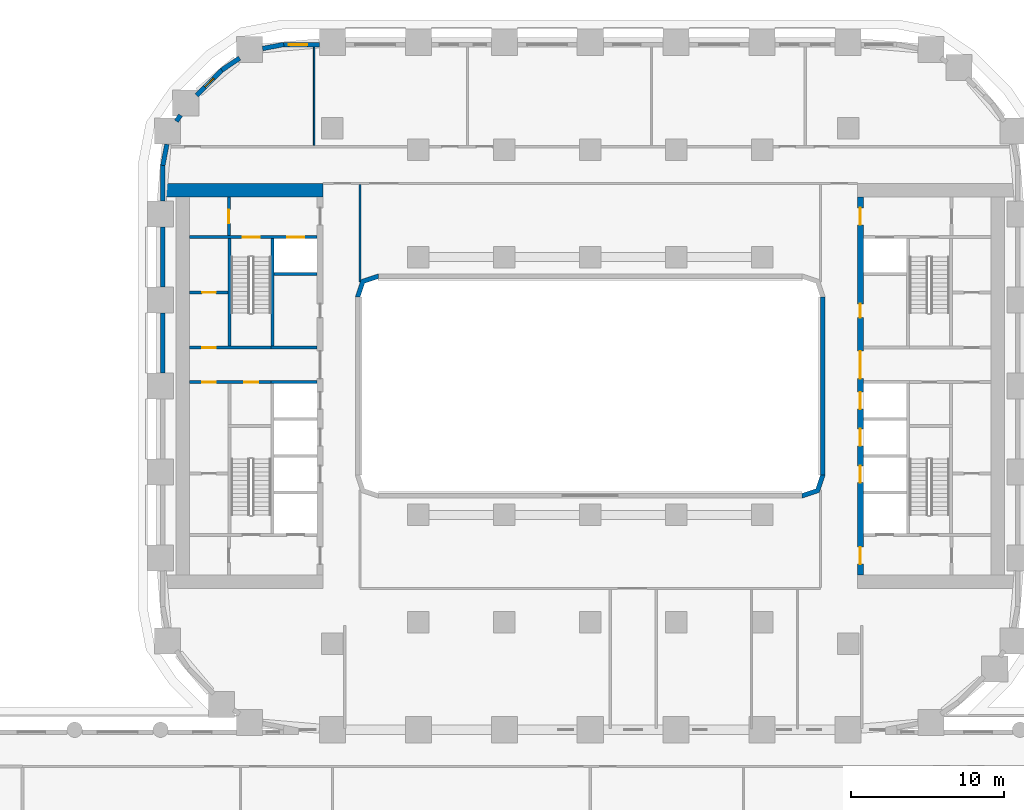
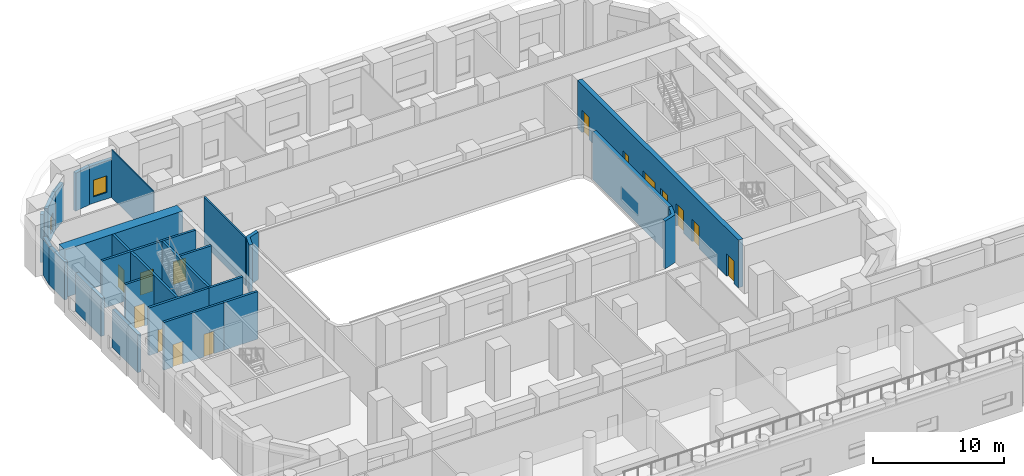
# One storey, part 23 of 35: 26 walls, 14 doors, 2 windows, 16 openings.
"""IFC4 building model written with IfcOpenShell, lengths in metres."""

from ifc_helpers import new_model, si_unit, direction, frame, frame_2d, origin, place, context, subcontext, project, spatial, polyline, rectangle, outline, extrude, material, layer, layer_set, type_object, element, fill, save


model = new_model("IFC4")

# Units and contexts
model_context = context("Model", 3, precision=1e-05, world=origin(), true_north=direction((0.0, 1.0)))
body_context = subcontext(model_context, "Body", "Model", "MODEL_VIEW")
ifc_project = project(units=[si_unit("LENGTHUNIT", "METRE"), si_unit("AREAUNIT", "SQUARE_METRE"), si_unit("VOLUMEUNIT", "CUBIC_METRE"), si_unit("PLANEANGLEUNIT", "RADIAN"), si_unit("MASSUNIT", "GRAM", prefix="KILO")], contexts=[model_context])

# Site, building, storey
site_placement = place(None, origin())
site = spatial("IfcSite", under=ifc_project, at=site_placement, CompositionType="ELEMENT")
building_placement = place(site_placement, origin())
building = spatial("IfcBuilding", under=site, at=building_placement, Name="Kiln Ring Residences", CompositionType="ELEMENT")
storey_placement = place(building_placement, frame((0.0, 0.0, 20.89990234375)))
storey = spatial("IfcBuildingStorey", under=building, at=storey_placement, Name="L04", CompositionType="ELEMENT", Elevation=20.89990234375)

# Wall, openings, doors
ifc_material_1 = material(Name="Gypsum board on steel studs", Category="steel")
ifc_layer_1 = layer(ifc_material_1, 0.199951171875)
ifc_layer_set_1 = layer_set([ifc_layer_1], Name="CORE-PARTITION-200")
wall_type_1 = type_object("IfcWallType", Name="CORE-PARTITION-200", PredefinedType="PARTITIONING", material=ifc_layer_set_1)
wall_1_placement = place(storey_placement, frame((-20.800048828125, 0.25, 0.0), z_axis=(0.0, 0.0, 1.0), x_axis=(-1.0, 0.0, 0.0)))
wall_1 = element("IfcWall", 1, at=wall_1_placement, inside=storey, type_object=wall_type_1, Name="Core partition west L04 2", PredefinedType="PARTITIONING", context=body_context, shape_type="SweptSolid", body=[
    extrude(rectangle(XDim=5.300048828125, YDim=0.199951171875, at=frame_2d((2.64990234375, 0.0))), origin(), (0.0, 0.0, 1.0), 4.4501953125),
])
opening_1_placement = place(wall_1_placement, frame((0.85009765625, 0.0, 0.0)))
opening_1 = element("IfcOpeningElement", 2, at=opening_1_placement, cuts=wall_1, Name="Opening L04-CW14", PredefinedType="OPENING", context=body_context, shape_type="SweptSolid", body=[
    extrude(rectangle(XDim=0.89990234375, YDim=2.10009765625, at=frame_2d((0.449951171875, 1.050048828125))), frame((0.0, 0.10986328125, 0.0), z_axis=(0.0, -1.0, 0.0), x_axis=(1.0, 0.0, 0.0)), (0.0, 0.0, 1.0), 0.219970703125),
])
opening_2_placement = place(wall_1_placement, frame((3.60009765625, 0.0, 0.0)))
opening_2 = element("IfcOpeningElement", 3, at=opening_2_placement, cuts=wall_1, Name="Opening L04-CW16", PredefinedType="OPENING", context=body_context, shape_type="SweptSolid", body=[
    extrude(rectangle(XDim=0.89990234375, YDim=2.10009765625, at=frame_2d((0.449951171875, 1.050048828125))), frame((0.0, 0.10986328125, 0.0), z_axis=(0.0, -1.0, 0.0), x_axis=(1.0, 0.0, 0.0)), (0.0, 0.0, 1.0), 0.219970703125),
])
ifc_material_2 = material(Name="Steel door leaf", Category="steel")
door_type_1 = type_object("IfcDoorType", Name="CORE-DOOR-ROOM", OperationType="SINGLE_SWING_LEFT", PredefinedType="DOOR", material=ifc_material_2)
door_1_placement = place(opening_1_placement, origin())
door_1 = element("IfcDoor", 4, at=door_1_placement, inside=storey, type_object=door_type_1, Name="Housekeeping store L04-CW14", OperationType="SINGLE_SWING_RIGHT", OverallHeight=2.10009765625, OverallWidth=0.89990234375, PredefinedType="DOOR", context=body_context, shape_type="SweptSolid", body=[
    extrude(rectangle(XDim=0.89990234375, YDim=2.10009765625, at=frame_2d((0.449951171875, 1.050048828125))), frame((0.0, 0.02490234375, 0.0), z_axis=(0.0, -1.0, 0.0), x_axis=(1.0, 0.0, 0.0)), (0.0, 0.0, 1.0), 0.050048828125),
])
fill(opening_1, door_1)
door_2_placement = place(opening_2_placement, origin())
door_2 = element("IfcDoor", 5, at=door_2_placement, inside=storey, type_object=door_type_1, Name="Battery room L04-CW16", OperationType="SINGLE_SWING_RIGHT", OverallHeight=2.10009765625, OverallWidth=0.89990234375, PredefinedType="DOOR", context=body_context, shape_type="SweptSolid", body=[
    extrude(rectangle(XDim=0.89990234375, YDim=2.10009765625, at=frame_2d((0.449951171875, 1.050048828125))), frame((0.0, 0.02490234375, 0.0), z_axis=(0.0, -1.0, 0.0), x_axis=(1.0, 0.0, 0.0)), (0.0, 0.0, 1.0), 0.050048828125),
])
fill(opening_2, door_2)

# Wall, opening, door
wall_2_placement = place(storey_placement, frame((-23.550048828125, 9.800048828125, 0.0), z_axis=(0.0, 0.0, 1.0), x_axis=(0.0, 1.0, 0.0)))
wall_2 = element("IfcWall", 6, at=wall_2_placement, inside=storey, type_object=wall_type_1, Name="Core partition west L04 3", PredefinedType="PARTITIONING", context=body_context, shape_type="SweptSolid", body=[
    extrude(rectangle(XDim=2.5, YDim=0.199951171875, at=frame_2d((1.25, 0.0))), origin(), (0.0, 0.0, 1.0), 4.4501953125),
])
opening_3_placement = place(wall_2_placement, frame((0.800048828125, 0.0, 0.0)))
opening_3 = element("IfcOpeningElement", 7, at=opening_3_placement, cuts=wall_2, Name="Opening L04-CW09", PredefinedType="OPENING", context=body_context, shape_type="SweptSolid", body=[
    extrude(rectangle(XDim=0.89990234375, YDim=2.10009765625, at=frame_2d((0.449951171875, 1.050048828125))), frame((0.0, 0.10986328125, 0.0), z_axis=(0.0, -1.0, 0.0), x_axis=(1.0, 0.0, 0.0)), (0.0, 0.0, 1.0), 0.219970703125),
])
door_3_placement = place(opening_3_placement, origin())
door_3 = element("IfcDoor", 8, at=door_3_placement, inside=storey, type_object=door_type_1, Name="Fire riser room L04-CW09", OperationType="SINGLE_SWING_LEFT", OverallHeight=2.10009765625, OverallWidth=0.89990234375, PredefinedType="DOOR", context=body_context, shape_type="SweptSolid", body=[
    extrude(rectangle(XDim=0.89990234375, YDim=2.10009765625, at=frame_2d((0.449951171875, 1.050048828125))), frame((0.0, 0.02490234375, 0.0), z_axis=(0.0, -1.0, 0.0), x_axis=(1.0, 0.0, 0.0)), (0.0, 0.0, 1.0), 0.050048828125),
])
fill(opening_3, door_3)

wall_3_placement = place(storey_placement, frame((-23.60009765625, 6.10009765625, 0.0), z_axis=(0.0, 0.0, 1.0), x_axis=(-1.0, 0.0, 0.0)))
wall_3 = element("IfcWall", 9, at=wall_3_placement, inside=storey, type_object=wall_type_1, Name="Core partition west L04 6", PredefinedType="PARTITIONING", context=body_context, shape_type="SweptSolid", body=[
    extrude(rectangle(XDim=2.5, YDim=0.199951171875, at=frame_2d((1.25, 0.0))), origin(), (0.0, 0.0, 1.0), 4.4501953125),
])
opening_4_placement = place(wall_3_placement, frame((0.800048828125, 0.0, 0.0)))
opening_4 = element("IfcOpeningElement", 10, at=opening_4_placement, cuts=wall_3, Name="Opening L04-CW17", PredefinedType="OPENING", context=body_context, shape_type="SweptSolid", body=[
    extrude(rectangle(XDim=0.89990234375, YDim=2.10009765625, at=frame_2d((0.449951171875, 1.050048828125))), frame((0.0, 0.10986328125, 0.0), z_axis=(0.0, -1.0, 0.0), x_axis=(1.0, 0.0, 0.0)), (0.0, 0.0, 1.0), 0.219970703125),
])
door_4_placement = place(opening_4_placement, origin())
door_4 = element("IfcDoor", 11, at=door_4_placement, inside=storey, type_object=door_type_1, Name="Electrical plant room L04-CW17", OperationType="SINGLE_SWING_RIGHT", OverallHeight=2.10009765625, OverallWidth=0.89990234375, PredefinedType="DOOR", context=body_context, shape_type="SweptSolid", body=[
    extrude(rectangle(XDim=0.89990234375, YDim=2.10009765625, at=frame_2d((0.449951171875, 1.050048828125))), frame((0.0, 0.02490234375, 0.0), z_axis=(0.0, -1.0, 0.0), x_axis=(1.0, 0.0, 0.0)), (0.0, 0.0, 1.0), 0.050048828125),
])
fill(opening_4, door_4)

# Walls
ifc_material_3 = material(Name="Gypsum shaft wall system")
ifc_layer_2 = layer(ifc_material_3, 0.199951171875)
ifc_layer_set_2 = layer_set([ifc_layer_2], Name="CORE-SHAFT-WALL-200")
wall_type_2 = type_object("IfcWallType", Name="CORE-SHAFT-WALL-200", PredefinedType="PARTITIONING", material=ifc_layer_set_2)
for number, where, z_axis, x_axis, name in (
    (12, (-17.800048828125, 0.25, 0.0), (0.0, 0.0, 1.0), (-1.0, 0.0, 0.0), "Core partition west L04 10"),
    (13, (-17.800048828125, 2.5, 0.0), (0.0, 0.0, 1.0), (-1.0, 0.0, 0.0), "Core partition west L04 11"),
):
    element("IfcWall", number, at=place(storey_placement, frame(where, z_axis=z_axis, x_axis=x_axis)), inside=storey, type_object=wall_type_2, Name=name, PredefinedType="PARTITIONING", context=body_context, shape_type="SweptSolid", body=[
        extrude(rectangle(XDim=3.0, YDim=0.199951171875, at=frame_2d((1.5, 0.0))), origin(), (0.0, 0.0, 1.0), 4.4501953125),
    ])
wall_4_placement = place(storey_placement, frame((-17.800048828125, 7.300048828125, 0.0), z_axis=(0.0, 0.0, 1.0), x_axis=(-1.0, 0.0, 0.0)))
element("IfcWall", 14, at=wall_4_placement, inside=storey, type_object=wall_type_2, Name="Core partition west L04 12", PredefinedType="PARTITIONING", context=body_context, shape_type="SweptSolid", body=[
    extrude(rectangle(XDim=2.800048828125, YDim=0.199951171875, at=frame_2d((1.39990234375, 0.0))), origin(), (0.0, 0.0, 1.0), 4.4501953125),
])
ifc_material_4 = material(Name="Concrete C40/50", Category="concrete")
ifc_layer_3 = layer(ifc_material_4, 0.199951171875)
ifc_layer_set_3 = layer_set([ifc_layer_3], Name="CORE-WALL-RC200")
wall_type_3 = type_object("IfcWallType", Name="CORE-WALL-RC200", PredefinedType="SHEAR", material=ifc_layer_set_3)
wall_5_placement = place(storey_placement, frame((-20.699951171875, 2.60009765625, 0.0), z_axis=(0.0, 0.0, 1.0), x_axis=(0.0, 1.0, 0.0)))
element("IfcWall", 15, at=wall_5_placement, inside=storey, type_object=wall_type_3, Name="Core wall west L04 1", PredefinedType="SHEAR", context=body_context, shape_type="SweptSolid", body=[
    extrude(rectangle(XDim=7.0, YDim=0.199951171875, at=frame_2d((3.5, 0.0))), origin(), (0.0, 0.0, 1.0), 4.4501953125),
])

# Wall, opening, door
wall_6_placement = place(storey_placement, frame((-20.800048828125, 2.5, 0.0), z_axis=(0.0, 0.0, 1.0), x_axis=(-1.0, 0.0, 0.0)))
wall_6 = element("IfcWall", 16, at=wall_6_placement, inside=storey, type_object=wall_type_3, Name="Core wall west L04 3", PredefinedType="SHEAR", context=body_context, shape_type="SweptSolid", body=[
    extrude(rectangle(XDim=5.300048828125, YDim=0.199951171875, at=frame_2d((2.64990234375, 0.0))), origin(), (0.0, 0.0, 1.0), 4.4501953125),
])
opening_5_placement = place(wall_6_placement, frame((3.60009765625, 0.0, 0.0)))
opening_5 = element("IfcOpeningElement", 17, at=opening_5_placement, cuts=wall_6, Name="Opening L04-CW18", PredefinedType="OPENING", context=body_context, shape_type="SweptSolid", body=[
    extrude(rectangle(XDim=0.89990234375, YDim=2.10009765625, at=frame_2d((0.449951171875, 1.050048828125))), frame((0.0, 0.10986328125, 0.0), z_axis=(0.0, -1.0, 0.0), x_axis=(1.0, 0.0, 0.0)), (0.0, 0.0, 1.0), 0.219970703125),
])
door_5_placement = place(opening_5_placement, origin())
door_5 = element("IfcDoor", 18, at=door_5_placement, inside=storey, type_object=door_type_1, Name="Comms room L04-CW18", OperationType="SINGLE_SWING_LEFT", OverallHeight=2.10009765625, OverallWidth=0.89990234375, PredefinedType="DOOR", context=body_context, shape_type="SweptSolid", body=[
    extrude(rectangle(XDim=0.89990234375, YDim=2.10009765625, at=frame_2d((0.449951171875, 1.050048828125))), frame((0.0, 0.02490234375, 0.0), z_axis=(0.0, -1.0, 0.0), x_axis=(1.0, 0.0, 0.0)), (0.0, 0.0, 1.0), 0.050048828125),
])
fill(opening_5, door_5)

# Wall, openings, doors
wall_7_placement = place(storey_placement, frame((-17.800048828125, 9.699951171875, 0.0), z_axis=(0.0, 0.0, 1.0), x_axis=(-1.0, 0.0, 0.0)))
wall_7 = element("IfcWall", 19, at=wall_7_placement, inside=storey, type_object=wall_type_3, Name="Core wall west L04 9", PredefinedType="SHEAR", context=body_context, shape_type="SweptSolid", body=[
    extrude(rectangle(XDim=8.300048828125, YDim=0.199951171875, at=frame_2d((4.14990234375, 0.0))), origin(), (0.0, 0.0, 1.0), 4.4501953125),
])
opening_6_placement = place(wall_7_placement, frame((0.85009765625, 0.0, 0.0)))
opening_6 = element("IfcOpeningElement", 20, at=opening_6_placement, cuts=wall_7, Name="Opening L04-CW06", PredefinedType="OPENING", context=body_context, shape_type="SweptSolid", body=[
    extrude(rectangle(XDim=1.10009765625, YDim=2.10009765625, at=frame_2d((0.550048828125, 1.050048828125))), frame((0.0, 0.10986328125, 0.0), z_axis=(0.0, -1.0, 0.0), x_axis=(1.0, 0.0, 0.0)), (0.0, 0.0, 1.0), 0.219970703125),
])
opening_7_placement = place(wall_7_placement, frame((3.75, 0.0, 0.0)))
opening_7 = element("IfcOpeningElement", 21, at=opening_7_placement, cuts=wall_7, Name="Opening L04-CW11", PredefinedType="OPENING", context=body_context, shape_type="SweptSolid", body=[
    extrude(rectangle(XDim=1.10009765625, YDim=2.10009765625, at=frame_2d((0.550048828125, 1.050048828125))), frame((0.0, 0.10986328125, 0.0), z_axis=(0.0, -1.0, 0.0), x_axis=(1.0, 0.0, 0.0)), (0.0, 0.0, 1.0), 0.219970703125),
])
ifc_material_5 = material(Name="Steel door leaf", Category="steel")
door_type_2 = type_object("IfcDoorType", Name="CORE-DOOR-LD", OperationType="DOUBLE_DOOR_SLIDING", PredefinedType="DOOR", material=ifc_material_5)
door_6_placement = place(opening_6_placement, origin())
door_6 = element("IfcDoor", 22, at=door_6_placement, inside=storey, type_object=door_type_2, Name="LD W-FF L04-CW06", OperationType="DOUBLE_DOOR_SLIDING", OverallHeight=2.10009765625, OverallWidth=1.10009765625, PredefinedType="DOOR", context=body_context, shape_type="SweptSolid", body=[
    extrude(rectangle(XDim=1.10009765625, YDim=2.10009765625, at=frame_2d((0.550048828125, 1.050048828125))), frame((0.0, 0.02490234375, 0.0), z_axis=(0.0, -1.0, 0.0), x_axis=(1.0, 0.0, 0.0)), (0.0, 0.0, 1.0), 0.050048828125),
])
fill(opening_6, door_6)
ifc_material_6 = material(Name="Steel door leaf", Category="steel")
door_type_3 = type_object("IfcDoorType", Name="CORE-DOOR-STAIR", OperationType="SINGLE_SWING_LEFT", PredefinedType="DOOR", material=ifc_material_6)
door_7_placement = place(opening_7_placement, origin())
door_7 = element("IfcDoor", 23, at=door_7_placement, inside=storey, type_object=door_type_3, Name="Stair W-STN L04-CW11", OperationType="SINGLE_SWING_LEFT", OverallHeight=2.10009765625, OverallWidth=1.10009765625, PredefinedType="DOOR", context=body_context, shape_type="SweptSolid", body=[
    extrude(rectangle(XDim=1.10009765625, YDim=2.10009765625, at=frame_2d((0.550048828125, 1.050048828125))), frame((0.0, 0.02490234375, 0.0), z_axis=(0.0, -1.0, 0.0), x_axis=(1.0, 0.0, 0.0)), (0.0, 0.0, 1.0), 0.050048828125),
])
fill(opening_7, door_7)

# Wall
wall_8_placement = place(storey_placement, frame((-23.5, 2.60009765625, 0.0), z_axis=(0.0, 0.0, 1.0), x_axis=(0.0, 1.0, 0.0)))
element("IfcWall", 24, at=wall_8_placement, inside=storey, type_object=wall_type_3, Name="Core wall west L04 10", PredefinedType="SHEAR", context=body_context, shape_type="SweptSolid", body=[
    extrude(rectangle(XDim=7.0, YDim=0.199951171875, at=frame_2d((3.5, 0.0))), origin(), (0.0, 0.0, 1.0), 4.4501953125),
])

# Wall, openings, doors
ifc_material_7 = material(Name="Concrete C60/75", Category="concrete")
ifc_layer_4 = layer(ifc_material_7, 0.39990234375)
ifc_layer_set_4 = layer_set([ifc_layer_4], Name="CORE-WALL-RC400")
wall_type_4 = type_object("IfcWallType", Name="CORE-WALL-RC400", PredefinedType="SHEAR", material=ifc_layer_set_4)
wall_9_placement = place(storey_placement, frame((17.60009765625, -12.300048828125, 0.0), z_axis=(0.0, 0.0, 1.0), x_axis=(0.0, 1.0, 0.0)))
wall_9 = element("IfcWall", 25, at=wall_9_placement, inside=storey, type_object=wall_type_4, Name="Core wall east L04 6", PredefinedType="SHEAR", context=body_context, shape_type="SweptSolid", body=[
    extrude(rectangle(XDim=24.60009765625, YDim=0.39990234375, at=frame_2d((12.300048828125, 0.0))), origin(), (0.0, 0.0, 1.0), 4.4501953125),
])
opening_8_placement = place(wall_9_placement, frame((6.0, 0.0, 0.0)))
opening_8 = element("IfcOpeningElement", 26, at=opening_8_placement, cuts=wall_9, Name="Opening L04-CE02", PredefinedType="OPENING", context=body_context, shape_type="SweptSolid", body=[
    extrude(rectangle(XDim=1.10009765625, YDim=2.10009765625, at=frame_2d((0.550048828125, 1.050048828125))), frame((0.0, 0.2099609375, 0.0), z_axis=(0.0, -1.0, 0.0), x_axis=(1.0, 0.0, 0.0)), (0.0, 0.0, 1.0), 0.419921875),
])
opening_9_placement = place(wall_9_placement, frame((8.39990234375, 0.0, 0.0)))
opening_9 = element("IfcOpeningElement", 27, at=opening_9_placement, cuts=wall_9, Name="Opening L04-CE03", PredefinedType="OPENING", context=body_context, shape_type="SweptSolid", body=[
    extrude(rectangle(XDim=1.10009765625, YDim=2.10009765625, at=frame_2d((0.550048828125, 1.050048828125))), frame((0.0, 0.2099609375, 0.0), z_axis=(0.0, -1.0, 0.0), x_axis=(1.0, 0.0, 0.0)), (0.0, 0.0, 1.0), 0.419921875),
])
opening_10_placement = place(wall_9_placement, frame((10.800048828125, 0.0, 0.0)))
opening_10 = element("IfcOpeningElement", 28, at=opening_10_placement, cuts=wall_9, Name="Opening L04-CE04", PredefinedType="OPENING", context=body_context, shape_type="SweptSolid", body=[
    extrude(rectangle(XDim=1.10009765625, YDim=2.10009765625, at=frame_2d((0.550048828125, 1.050048828125))), frame((0.0, 0.2099609375, 0.0), z_axis=(0.0, -1.0, 0.0), x_axis=(1.0, 0.0, 0.0)), (0.0, 0.0, 1.0), 0.419921875),
])
opening_11_placement = place(wall_9_placement, frame((16.75, 0.0, 0.0)))
opening_11 = element("IfcOpeningElement", 29, at=opening_11_placement, cuts=wall_9, Name="Opening L04-CE05", PredefinedType="OPENING", context=body_context, shape_type="SweptSolid", body=[
    extrude(rectangle(XDim=0.89990234375, YDim=2.10009765625, at=frame_2d((0.449951171875, 1.050048828125))), frame((0.0, 0.2099609375, 0.0), z_axis=(0.0, -1.0, 0.0), x_axis=(1.0, 0.0, 0.0)), (0.0, 0.0, 1.0), 0.419921875),
])
opening_12_placement = place(wall_9_placement, frame((22.800048828125, 0.0, 0.0)))
opening_12 = element("IfcOpeningElement", 30, at=opening_12_placement, cuts=wall_9, Name="Opening L04-CE07", PredefinedType="OPENING", context=body_context, shape_type="SweptSolid", body=[
    extrude(rectangle(XDim=1.10009765625, YDim=2.10009765625, at=frame_2d((0.550048828125, 1.050048828125))), frame((0.0, 0.2099609375, 0.0), z_axis=(0.0, -1.0, 0.0), x_axis=(1.0, 0.0, 0.0)), (0.0, 0.0, 1.0), 0.419921875),
])
opening_13_placement = place(wall_9_placement, frame((0.699951171875, 0.0, 0.0)))
opening_13 = element("IfcOpeningElement", 31, at=opening_13_placement, cuts=wall_9, Name="Opening L04-CE08", PredefinedType="OPENING", context=body_context, shape_type="SweptSolid", body=[
    extrude(rectangle(XDim=1.10009765625, YDim=2.10009765625, at=frame_2d((0.550048828125, 1.050048828125))), frame((0.0, 0.2099609375, 0.0), z_axis=(0.0, -1.0, 0.0), x_axis=(1.0, 0.0, 0.0)), (0.0, 0.0, 1.0), 0.419921875),
])
opening_14_placement = place(wall_9_placement, frame((12.77490234375, 0.0, 0.0)))
opening_14 = element("IfcOpeningElement", 32, at=opening_14_placement, cuts=wall_9, Name="Opening L04-CE13", PredefinedType="OPENING", context=body_context, shape_type="SweptSolid", body=[
    extrude(rectangle(XDim=1.800048828125, YDim=2.10009765625, at=frame_2d((0.89990234375, 1.050048828125))), frame((0.0, 0.2099609375, 0.0), z_axis=(0.0, -1.0, 0.0), x_axis=(1.0, 0.0, 0.0)), (0.0, 0.0, 1.0), 0.419921875),
])
door_8_placement = place(opening_8_placement, origin())
door_8 = element("IfcDoor", 33, at=door_8_placement, inside=storey, type_object=door_type_2, Name="LD E-L1 L04-CE02", OperationType="DOUBLE_DOOR_SLIDING", OverallHeight=2.10009765625, OverallWidth=1.10009765625, PredefinedType="DOOR", context=body_context, shape_type="SweptSolid", body=[
    extrude(rectangle(XDim=1.10009765625, YDim=2.10009765625, at=frame_2d((0.550048828125, 1.050048828125))), frame((0.0, 0.02490234375, 0.0), z_axis=(0.0, -1.0, 0.0), x_axis=(1.0, 0.0, 0.0)), (0.0, 0.0, 1.0), 0.050048828125),
])
fill(opening_8, door_8)
door_9_placement = place(opening_9_placement, origin())
door_9 = element("IfcDoor", 34, at=door_9_placement, inside=storey, type_object=door_type_2, Name="LD E-L2 L04-CE03", OperationType="DOUBLE_DOOR_SLIDING", OverallHeight=2.10009765625, OverallWidth=1.10009765625, PredefinedType="DOOR", context=body_context, shape_type="SweptSolid", body=[
    extrude(rectangle(XDim=1.10009765625, YDim=2.10009765625, at=frame_2d((0.550048828125, 1.050048828125))), frame((0.0, 0.02490234375, 0.0), z_axis=(0.0, -1.0, 0.0), x_axis=(1.0, 0.0, 0.0)), (0.0, 0.0, 1.0), 0.050048828125),
])
fill(opening_9, door_9)
door_10_placement = place(opening_10_placement, origin())
door_10 = element("IfcDoor", 35, at=door_10_placement, inside=storey, type_object=door_type_2, Name="LD E-L3 L04-CE04", OperationType="DOUBLE_DOOR_SLIDING", OverallHeight=2.10009765625, OverallWidth=1.10009765625, PredefinedType="DOOR", context=body_context, shape_type="SweptSolid", body=[
    extrude(rectangle(XDim=1.10009765625, YDim=2.10009765625, at=frame_2d((0.550048828125, 1.050048828125))), frame((0.0, 0.02490234375, 0.0), z_axis=(0.0, -1.0, 0.0), x_axis=(1.0, 0.0, 0.0)), (0.0, 0.0, 1.0), 0.050048828125),
])
fill(opening_10, door_10)
ifc_material_8 = material(Name="Steel door leaf", Category="steel")
door_type_4 = type_object("IfcDoorType", Name="CORE-DOOR-LOBBY", OperationType="SINGLE_SWING_LEFT", PredefinedType="DOOR", material=ifc_material_8)
door_11_placement = place(opening_12_placement, origin())
door_11 = element("IfcDoor", 36, at=door_11_placement, inside=storey, type_object=door_type_4, Name="FFL L04-CE07", OperationType="SINGLE_SWING_LEFT", OverallHeight=2.10009765625, OverallWidth=1.10009765625, PredefinedType="DOOR", context=body_context, shape_type="SweptSolid", body=[
    extrude(rectangle(XDim=1.10009765625, YDim=2.10009765625, at=frame_2d((0.550048828125, 1.050048828125))), frame((0.0, 0.02490234375, 0.0), z_axis=(0.0, -1.0, 0.0), x_axis=(1.0, 0.0, 0.0)), (0.0, 0.0, 1.0), 0.050048828125),
])
fill(opening_12, door_11)
door_12_placement = place(opening_13_placement, origin())
door_12 = element("IfcDoor", 37, at=door_12_placement, inside=storey, type_object=door_type_4, Name="SVL L04-CE08", OperationType="SINGLE_SWING_RIGHT", OverallHeight=2.10009765625, OverallWidth=1.10009765625, PredefinedType="DOOR", context=body_context, shape_type="SweptSolid", body=[
    extrude(rectangle(XDim=1.10009765625, YDim=2.10009765625, at=frame_2d((0.550048828125, 1.050048828125))), frame((0.0, 0.02490234375, 0.0), z_axis=(0.0, -1.0, 0.0), x_axis=(1.0, 0.0, 0.0)), (0.0, 0.0, 1.0), 0.050048828125),
])
fill(opening_13, door_12)
ifc_material_9 = material(Name="Steel door leaf", Category="steel")
door_type_5 = type_object("IfcDoorType", Name="CORE-DOOR-PASS", OperationType="DOUBLE_DOOR_SINGLE_SWING", PredefinedType="DOOR", material=ifc_material_9)
door_13_placement = place(opening_14_placement, origin())
door_13 = element("IfcDoor", 38, at=door_13_placement, inside=storey, type_object=door_type_5, Name="Core passage L04-CE13", OperationType="DOUBLE_DOOR_SINGLE_SWING", OverallHeight=2.10009765625, OverallWidth=1.800048828125, PredefinedType="DOOR", context=body_context, shape_type="SweptSolid", body=[
    extrude(rectangle(XDim=1.800048828125, YDim=2.10009765625, at=frame_2d((0.89990234375, 1.050048828125))), frame((0.0, 0.02490234375, 0.0), z_axis=(0.0, -1.0, 0.0), x_axis=(1.0, 0.0, 0.0)), (0.0, 0.0, 1.0), 0.050048828125),
])
fill(opening_14, door_13)
door_14_placement = place(opening_11_placement, origin())
door_14 = element("IfcDoor", 39, at=door_14_placement, inside=storey, type_object=door_type_1, Name="Locker store L04-CE05", OperationType="SINGLE_SWING_RIGHT", OverallHeight=2.10009765625, OverallWidth=0.89990234375, PredefinedType="DOOR", context=body_context, shape_type="SweptSolid", body=[
    extrude(rectangle(XDim=0.89990234375, YDim=2.10009765625, at=frame_2d((0.449951171875, 1.050048828125))), frame((0.0, 0.02490234375, 0.0), z_axis=(0.0, -1.0, 0.0), x_axis=(1.0, 0.0, 0.0)), (0.0, 0.0, 1.0), 0.050048828125),
])
fill(opening_11, door_14)

# Wall
ifc_material_10 = material(Name="Concrete C60/75", Category="concrete")
ifc_layer_5 = layer(ifc_material_10, 0.89990234375)
ifc_layer_set_5 = layer_set([ifc_layer_5], Name="CORE-WALL-RC900")
wall_type_5 = type_object("IfcWallType", Name="CORE-WALL-RC900", PredefinedType="SHEAR", material=ifc_layer_set_5)
wall_10_placement = place(storey_placement, frame((-17.39990234375, 12.75, 0.0), z_axis=(0.0, 0.0, 1.0), x_axis=(-1.0, 0.0, 0.0)))
element("IfcWall", 40, at=wall_10_placement, inside=storey, type_object=wall_type_5, Name="Core wall west L04 4", PredefinedType="SHEAR", context=body_context, shape_type="SweptSolid", body=[
    extrude(rectangle(XDim=10.400146484375, YDim=0.89990234375, at=frame_2d((5.2001953125, 0.0))), origin(), (0.0, 0.0, 1.0), 4.4501953125),
])

# Wall, opening, window
ifc_material_11 = material(Name="Brick masonry, dark clay brick", Category="masonry")
ifc_layer_6 = layer(ifc_material_11, 0.300048828125)
ifc_layer_set_6 = layer_set([ifc_layer_6], Name="EW-300 BRICK WALL")
wall_type_6 = type_object("IfcWallType", Name="EW-300 BRICK WALL", PredefinedType="SOLIDWALL", material=ifc_layer_set_6)
wall_11_placement = place(storey_placement, frame((-17.64990234375, 22.25, 0.0), z_axis=(0.0, 0.0, 1.0), x_axis=(-1.0, 0.0, 0.0)))
wall_11 = element("IfcWall", 41, at=wall_11_placement, inside=storey, type_object=wall_type_6, Name="Facade wall L04 31", PredefinedType="SOLIDWALL", context=body_context, shape_type="SweptSolid", body=[
    extrude(rectangle(XDim=2.35009765625, YDim=0.300048828125, at=frame_2d((1.175048828125, 0.0))), origin(), (0.0, 0.0, 1.0), 3.550048828125),
])
opening_15_placement = place(wall_11_placement, frame((0.78759765625, 0.0, 0.60009765625)))
opening_15 = element("IfcOpeningElement", 42, at=opening_15_placement, cuts=wall_11, Name="Opening W1", PredefinedType="OPENING", context=body_context, shape_type="SweptSolid", body=[
    extrude(rectangle(XDim=1.199951171875, YDim=1.550048828125, at=frame_2d((0.60009765625, 0.77490234375))), frame((0.0, 0.159912109375, 0.0), z_axis=(0.0, -1.0, 0.0), x_axis=(1.0, 0.0, 0.0)), (0.0, 0.0, 1.0), 0.320068359375),
])
ifc_material_12 = material(Name="Aluminium frame with double glazing", Category="aluminium")
window_type_1 = type_object("IfcWindowType", Name="WINDOW 1200 x 1550", PartitioningType="SINGLE_PANEL", PredefinedType="WINDOW", material=ifc_material_12)
window_1_placement = place(opening_15_placement, origin())
window_1 = element("IfcWindow", 43, at=window_1_placement, inside=storey, type_object=window_type_1, Name="Window L04 19", OverallHeight=1.550048828125, OverallWidth=1.199951171875, PartitioningType="SINGLE_PANEL", PredefinedType="WINDOW", context=body_context, shape_type="SweptSolid", body=[
    extrude(rectangle(XDim=1.199951171875, YDim=1.550048828125, at=frame_2d((0.60009765625, 0.77490234375))), frame((0.0, 0.030029296875, 0.0), z_axis=(0.0, -1.0, 0.0), x_axis=(1.0, 0.0, 0.0)), (0.0, 0.0, 1.0), 0.06005859375),
])
fill(opening_15, window_1)

# Walls
for number, where, z_axis, x_axis, name in (
    (44, (-19.971923828125, 22.252685546875, 0.0), (0.0, 0.0, 1.0), (-0.98229142023, -0.187359455971, 0.0), "Facade wall L04 32"),
    (45, (-22.849853515625, 21.369140625, 0.0), (0.0, 0.0, 1.0), (-0.827075041075, -0.562091519622, 0.0), "Facade wall L04 33"),
):
    element("IfcWall", number, at=place(storey_placement, frame(where, z_axis=z_axis, x_axis=x_axis)), inside=storey, type_object=wall_type_6, Name=name, PredefinedType="SOLIDWALL", context=body_context, shape_type="SweptSolid", body=[
        extrude(rectangle(XDim=1.406005859375, YDim=0.300048828125, at=frame_2d((0.703125, 0.0))), origin(), (0.0, 0.0, 1.0), 3.550048828125),
    ])

# Wall, opening, window
wall_12_placement = place(storey_placement, frame((-23.990966796875, 20.596923828125, 0.0), z_axis=(0.0, 0.0, 1.0), x_axis=(-0.707054835785, -0.707158722772, 0.0)))
wall_12 = element("IfcWall", 46, at=wall_12_placement, inside=storey, type_object=wall_type_6, Name="Facade wall L04 34", PredefinedType="SOLIDWALL", context=body_context, shape_type="SweptSolid", body=[
    extrude(rectangle(XDim=2.35009765625, YDim=0.300048828125, at=frame_2d((1.175048828125, 0.0))), origin(), (0.0, 0.0, 1.0), 3.550048828125),
])
opening_16_placement = place(wall_12_placement, frame((0.77490234375, 0.0, 0.60009765625)))
opening_16 = element("IfcOpeningElement", 47, at=opening_16_placement, cuts=wall_12, Name="Opening W5", PredefinedType="OPENING", context=body_context, shape_type="SweptSolid", body=[
    extrude(rectangle(XDim=0.800048828125, YDim=1.550048828125, at=frame_2d((0.39990234375, 0.77490234375))), frame((0.0, 0.159912109375, 0.0), z_axis=(0.0, -1.0, 0.0), x_axis=(1.0, 0.0, 0.0)), (0.0, 0.0, 1.0), 0.320068359375),
])
ifc_material_13 = material(Name="Aluminium frame with double glazing", Category="aluminium")
window_type_2 = type_object("IfcWindowType", Name="WINDOW 800 x 1550", PartitioningType="SINGLE_PANEL", PredefinedType="WINDOW", material=ifc_material_13)
window_2_placement = place(opening_16_placement, origin())
window_2 = element("IfcWindow", 48, at=window_2_placement, inside=storey, type_object=window_type_2, Name="Window L04 20", OverallHeight=1.550048828125, OverallWidth=0.800048828125, PartitioningType="SINGLE_PANEL", PredefinedType="WINDOW", context=body_context, shape_type="SweptSolid", body=[
    extrude(rectangle(XDim=0.800048828125, YDim=1.550048828125, at=frame_2d((0.39990234375, 0.77490234375))), frame((0.0, 0.030029296875, 0.0), z_axis=(0.0, -1.0, 0.0), x_axis=(1.0, 0.0, 0.0)), (0.0, 0.0, 1.0), 0.06005859375),
])
fill(opening_16, window_2)

# Walls
wall_13_placement = place(storey_placement, frame((-26.701171875, 17.644287109375, 0.0), z_axis=(0.0, 0.0, 1.0), x_axis=(-0.562001981492, -0.827135885329, 0.0)))
element("IfcWall", 49, at=wall_13_placement, inside=storey, type_object=wall_type_6, Name="Facade wall L04 35", PredefinedType="SOLIDWALL", context=body_context, shape_type="SweptSolid", body=[
    extrude(rectangle(XDim=0.47705078125, YDim=0.300048828125, at=frame_2d((0.238525390625, 0.0))), origin(), (0.0, 0.0, 1.0), 4.4501953125),
])
wall_14_placement = place(storey_placement, frame((-27.589111328125, 15.753173828125, 0.0), z_axis=(0.0, 0.0, 1.0), x_axis=(-0.187327504018, -0.982297514116, 0.0)))
element("IfcWall", 50, at=wall_14_placement, inside=storey, type_object=wall_type_6, Name="Facade wall L04 36", PredefinedType="SOLIDWALL", context=body_context, shape_type="SweptSolid", body=[
    extrude(rectangle(XDim=1.40625, YDim=0.300048828125, at=frame_2d((0.703125, 0.0))), origin(), (0.0, 0.0, 1.0), 3.550048828125),
])
wall_15_placement = place(storey_placement, frame((-27.85009765625, 14.39990234375, 0.0), z_axis=(0.0, 0.0, 1.0), x_axis=(0.0, -1.0, 0.0)))
element("IfcWall", 51, at=wall_15_placement, inside=storey, type_object=wall_type_6, Name="Facade wall L04 37", PredefinedType="SOLIDWALL", context=body_context, shape_type="SweptSolid", body=[
    extrude(rectangle(XDim=2.349853515625, YDim=0.300048828125, at=frame_2d((1.1748046875, 0.0))), origin(), (0.0, 0.0, 1.0), 3.550048828125),
])
wall_16_placement = place(storey_placement, frame((-27.85009765625, 10.35009765625, 0.0), z_axis=(0.0, 0.0, 1.0), x_axis=(0.0, -1.0, 0.0)))
element("IfcWall", 52, at=wall_16_placement, inside=storey, type_object=wall_type_6, Name="Facade wall L04 38", PredefinedType="SOLIDWALL", context=body_context, shape_type="SweptSolid", body=[
    extrude(rectangle(XDim=3.900146484375, YDim=0.300048828125, at=frame_2d((1.9501953125, 0.0))), origin(), (0.0, 0.0, 1.0), 3.550048828125),
])
wall_17_placement = place(storey_placement, frame((-27.85009765625, 4.75, 0.0), z_axis=(0.0, 0.0, 1.0), x_axis=(0.0, -1.0, 0.0)))
element("IfcWall", 53, at=wall_17_placement, inside=storey, type_object=wall_type_6, Name="Facade wall L04 39", PredefinedType="SOLIDWALL", context=body_context, shape_type="SweptSolid", body=[
    extrude(rectangle(XDim=3.89990234375, YDim=0.300048828125, at=frame_2d((1.949951171875, 0.0))), origin(), (0.0, 0.0, 1.0), 3.550048828125),
])
wall_18_placement = place(storey_placement, frame((15.14990234375, 5.800048828125, 0.0), z_axis=(0.0, 0.0, 1.0), x_axis=(0.0, -1.0, 0.0)))
element("IfcWall", 54, at=wall_18_placement, inside=storey, type_object=wall_type_6, Name="Facade wall L04 73", PredefinedType="SOLIDWALL", context=body_context, shape_type="SweptSolid", body=[
    extrude(rectangle(XDim=11.60009765625, YDim=0.300048828125, at=frame_2d((5.800048828125, 0.0))), origin(), (0.0, 0.0, 1.0), 4.4501953125),
])
placement = place(storey_placement, origin())
element("IfcWall", 55, at=placement, inside=storey, type_object=wall_type_6, Name="Corner wall L04 3", PredefinedType="SOLIDWALL", context=body_context, shape_type="SweptSolid", body=[
    extrude(outline(polyline([(-13.8486328125, 7.300048828125), (-14.937255859375, 6.937255859375), (-15.300048828125, 5.8486328125), (-15.300048828125, 5.800048828125), (-15.0, 5.800048828125), (-14.699951171875, 6.699951171875), (-13.800048828125, 7.0), (-13.800048828125, 7.300048828125), (-13.8486328125, 7.300048828125)])), origin(), (0.0, 0.0, 1.0), 4.4501953125),
])
element("IfcWall", 56, at=placement, inside=storey, type_object=wall_type_6, Name="Corner wall L04 5", PredefinedType="SOLIDWALL", context=body_context, shape_type="SweptSolid", body=[
    extrude(outline(polyline([(14.937255859375, -6.937255859375), (15.300048828125, -5.8486328125), (15.300048828125, -5.800048828125), (15.0, -5.800048828125), (14.699951171875, -6.699951171875), (13.800048828125, -7.0), (13.800048828125, -7.300048828125), (13.8486328125, -7.300048828125), (14.937255859375, -6.937255859375)])), origin(), (0.0, 0.0, 1.0), 4.4501953125),
])
ifc_material_14 = material(Name="Gypsum board on steel studs", Category="steel")
ifc_layer_7 = layer(ifc_material_14, 0.10009765625)
ifc_layer_set_7 = layer_set([ifc_layer_7], Name="PARTITION-100")
wall_type_7 = type_object("IfcWallType", Name="PARTITION-100", PredefinedType="PARTITIONING", material=ifc_layer_set_7)
wall_21_placement = place(storey_placement, frame((-18.0, 15.675048828125, 0.0), z_axis=(0.0, 0.0, 1.0), x_axis=(0.0, 1.0, 0.0)))
element("IfcWall", 57, at=wall_21_placement, inside=storey, type_object=wall_type_7, Name="Partition 011", PredefinedType="PARTITIONING", context=body_context, shape_type="SweptSolid", body=[
    extrude(rectangle(XDim=6.405029296875, YDim=0.10009765625, at=frame_2d((3.20263671875, 0.0))), origin(), (0.0, 0.0, 1.0), 4.4501953125),
])
ifc_material_15 = material(Name="Brick masonry partition", Category="masonry")
ifc_layer_8 = layer(ifc_material_15, 0.14990234375)
ifc_layer_set_8 = layer_set([ifc_layer_8], Name="PARTITION-150-ei60")
wall_type_8 = type_object("IfcWallType", Name="PARTITION-150-ei60", PredefinedType="PARTITIONING", material=ifc_layer_set_8)
wall_22_placement = place(storey_placement, frame((-15.0, 6.768798828125, 0.0), z_axis=(0.0, 0.0, 1.0), x_axis=(0.0, 1.0, 0.0)))
element("IfcWall", 58, at=wall_22_placement, inside=storey, type_object=wall_type_8, Name="Partition 015", PredefinedType="PARTITIONING", context=body_context, shape_type="SweptSolid", body=[
    extrude(rectangle(XDim=6.356201171875, YDim=0.14990234375, at=frame_2d((3.17822265625, 0.0))), origin(), (0.0, 0.0, 1.0), 4.4501953125),
])

save(model, "model.ifc")
